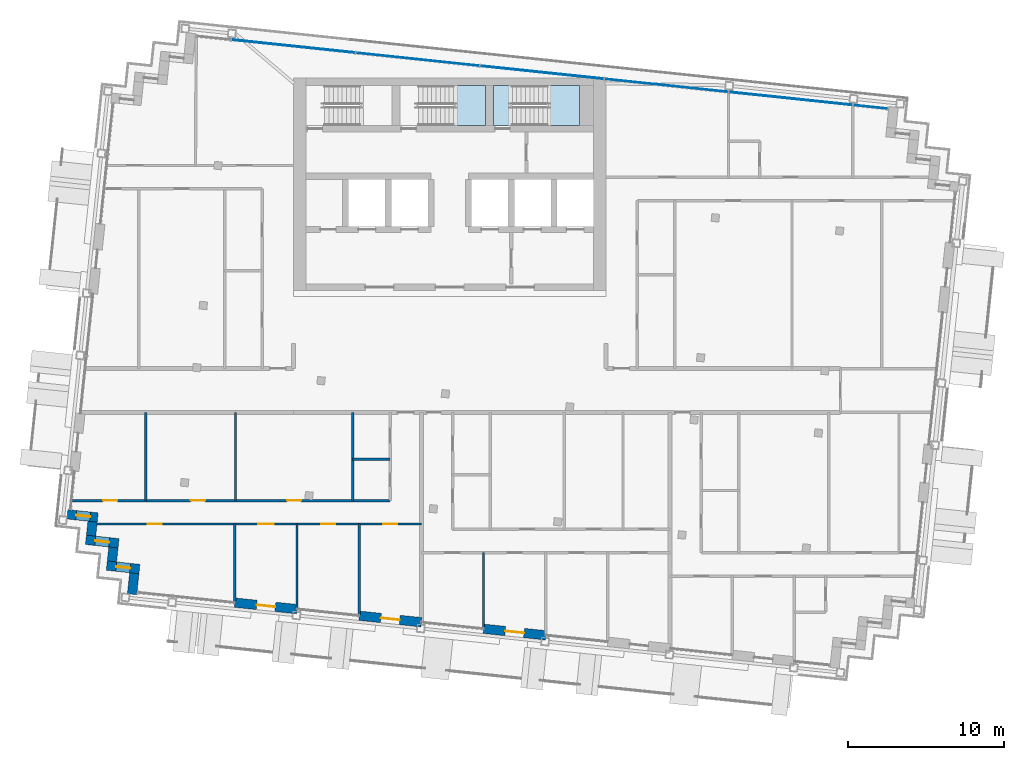
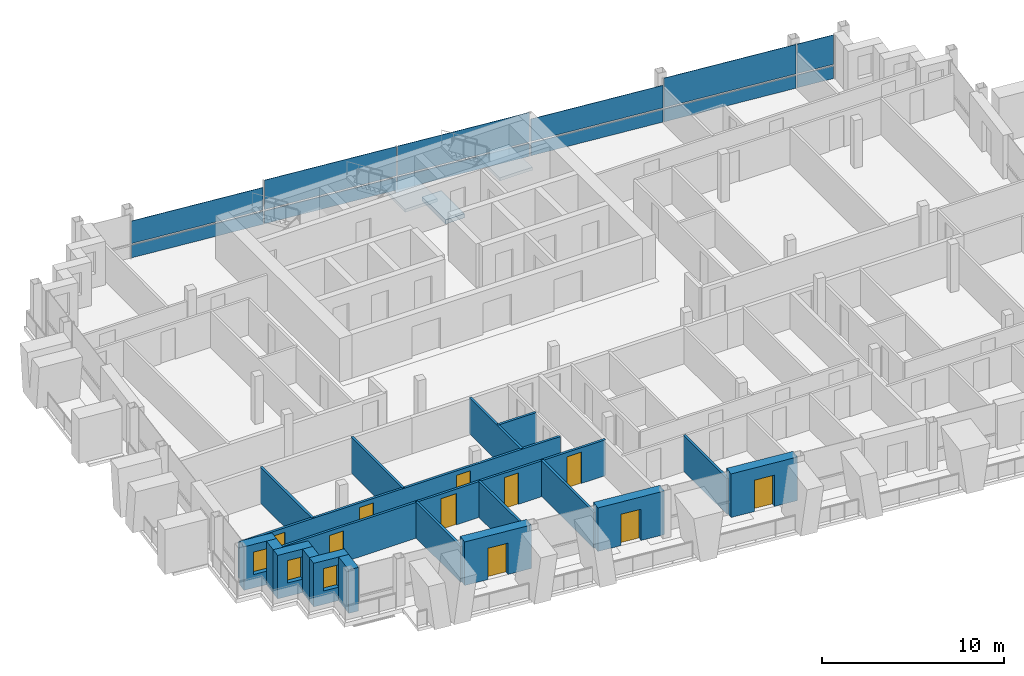
# One storey, part 8 of 17: 19 walls, 12 plates, 10 doors, 3 slabs, 3 windows, 13 openings, 3 elements without a shape of their own.
"""IFC4 building model written with IfcOpenShell, lengths in metres."""

from ifc_helpers import new_model, si_unit, direction, frame, frame_2d, origin, origin_2d, place, context, subcontext, project, spatial, polyline, rectangle, outline, extrude, material, layer, layer_set, type_object, element, fill, aggregate, save


model = new_model("IFC4")

# Units and contexts
model_context = context("Model", 3, precision=1e-05, world=origin(), true_north=direction((0.0, 1.0)))
body_context = subcontext(model_context, "Body", "Model", "MODEL_VIEW")
ifc_project = project(units=[si_unit("LENGTHUNIT", "METRE"), si_unit("AREAUNIT", "SQUARE_METRE"), si_unit("VOLUMEUNIT", "CUBIC_METRE"), si_unit("PLANEANGLEUNIT", "RADIAN"), si_unit("MASSUNIT", "GRAM", prefix="KILO")], contexts=[model_context])

# Site, building, storey
site_placement = place(None, origin())
site = spatial("IfcSite", under=ifc_project, at=site_placement, CompositionType="ELEMENT")
building_placement = place(site_placement, origin())
building = spatial("IfcBuilding", under=site, at=building_placement, Name="Vidyagriha Tower", CompositionType="ELEMENT")
storey_placement = place(building_placement, frame((0.0, 0.0, 269.10009765625)))
storey = spatial("IfcBuildingStorey", under=building, at=storey_placement, Name="L70", CompositionType="ELEMENT", Elevation=269.10009765625)

# Curtain wall, plates
ifc_material_1 = material(Name="Aluminium and glass curtain wall", Category="aluminium")
curtain_wall_type = type_object("IfcCurtainWallType", Name="Dwelling skin unitised curtain wall", PredefinedType="USERDEFINED", material=ifc_material_1)
curtain_wall_placement = place(storey_placement, origin())
curtain_wall = element("IfcCurtainWall", 1, at=curtain_wall_placement, inside=storey, type_object=curtain_wall_type, Name="CW1 dwelling skin", ObjectType="UNITISED", PredefinedType="USERDEFINED")
ifc_material_2 = material(Name="Glass dark ceramic-fritted spandrel", Category="glass")
ifc_layer_1 = layer(ifc_material_2, 0.0400390625)
ifc_layer_set_1 = layer_set([ifc_layer_1], Name="Glass dark ceramic-fritted spandrel")
plate_type_1 = type_object("IfcPlateType", Name="Ceramic-fritted spandrel panel", PredefinedType="CURTAIN_PANEL", material=ifc_layer_set_1)
plate_1_placement = place(storey_placement, frame((26.922607421875, 18.14599609375, -0.000244140625), z_axis=(0.0, 0.0, 1.0), x_axis=(-0.994521854435, 0.104528852722, 0.0)))
plate_1 = element("IfcPlate", 2, at=plate_1_placement, type_object=plate_type_1, Name="CW1 panel 1.1", PredefinedType="CURTAIN_PANEL", context=body_context, shape_type="SweptSolid", body=[
    extrude(rectangle(XDim=2.195068359375, YDim=0.0400390625, at=origin_2d()), origin(), (0.0, 0.0, 1.0), 0.85009765625),
])
plate_2_placement = place(storey_placement, frame((13.862060546875, 19.518798828125, -0.000244140625), z_axis=(0.0, 0.0, 1.0), x_axis=(-0.994521854435, 0.104528852722, 0.0)))
plate_2 = element("IfcPlate", 3, at=plate_2_placement, type_object=plate_type_1, Name="CW1 panel 3.1", PredefinedType="CURTAIN_PANEL", context=body_context, shape_type="SweptSolid", body=[
    extrude(rectangle(XDim=7.929931640625, YDim=0.0400390625, at=origin_2d()), origin(), (0.0, 0.0, 1.0), 0.85009765625),
])
plate_3_placement = place(storey_placement, frame((-2.05029296875, 21.191162109375, -0.000244140625), z_axis=(0.0, 0.0, 1.0), x_axis=(-0.994521854435, 0.104528852722, 0.0)))
plate_3 = element("IfcPlate", 4, at=plate_3_placement, type_object=plate_type_1, Name="CW1 panel 5.1", PredefinedType="CURTAIN_PANEL", context=body_context, shape_type="SweptSolid", body=[
    extrude(rectangle(XDim=7.929931640625, YDim=0.0400390625, at=origin_2d()), origin(), (0.0, 0.0, 1.0), 0.85009765625),
])
ifc_material_3 = material(Name="Glass dark ceramic-fritted", Category="glass")
ifc_layer_2 = layer(ifc_material_3, 0.028076171875)
ifc_layer_set_2 = layer_set([ifc_layer_2], Name="Glass dark ceramic-fritted")
plate_type_2 = type_object("IfcPlateType", Name="Dark ceramic-fritted vision glass panel", PredefinedType="CURTAIN_PANEL", material=ifc_layer_set_2)
plate_4_placement = place(storey_placement, frame((26.922607421875, 18.14599609375, 0.94970703125), z_axis=(0.0, 0.0, 1.0), x_axis=(-0.994521854435, 0.104528852722, 0.0)))
plate_4 = element("IfcPlate", 5, at=plate_4_placement, type_object=plate_type_2, Name="CW1 panel 1.2", PredefinedType="CURTAIN_PANEL", context=body_context, shape_type="SweptSolid", body=[
    extrude(rectangle(XDim=2.195068359375, YDim=0.028076171875, at=origin_2d()), origin(), (0.0, 0.0, 1.0), 1.969970703125),
])
plate_5_placement = place(storey_placement, frame((21.818359375, 18.6826171875, 0.94970703125), z_axis=(0.0, 0.0, 1.0), x_axis=(-0.994521854435, 0.104528852722, 0.0)))
plate_5 = element("IfcPlate", 6, at=plate_5_placement, type_object=plate_type_2, Name="CW1 panel 2.2", PredefinedType="CURTAIN_PANEL", context=body_context, shape_type="SweptSolid", body=[
    extrude(rectangle(XDim=7.929931640625, YDim=0.028076171875, at=origin_2d()), origin(), (0.0, 0.0, 1.0), 1.969970703125),
])
plate_6_placement = place(storey_placement, frame((13.862060546875, 19.518798828125, 0.949951171875), z_axis=(0.0, 0.0, 1.0), x_axis=(-0.994521854435, 0.104528852722, 0.0)))
plate_6 = element("IfcPlate", 7, at=plate_6_placement, type_object=plate_type_2, Name="CW1 panel 3.2", PredefinedType="CURTAIN_PANEL", context=body_context, shape_type="SweptSolid", body=[
    extrude(rectangle(XDim=7.929931640625, YDim=0.028076171875, at=origin_2d()), origin(), (0.0, 0.0, 1.0), 1.5078125),
])
plate_7_placement = place(storey_placement, frame((5.906005859375, 20.35498046875, 0.94970703125), z_axis=(0.0, 0.0, 1.0), x_axis=(-0.994521854435, 0.104528852722, 0.0)))
plate_7 = element("IfcPlate", 8, at=plate_7_placement, type_object=plate_type_2, Name="CW1 panel 4.2", PredefinedType="CURTAIN_PANEL", context=body_context, shape_type="SweptSolid", body=[
    extrude(rectangle(XDim=7.929931640625, YDim=0.028076171875, at=origin_2d()), origin(), (0.0, 0.0, 1.0), 1.969970703125),
])
plate_8_placement = place(storey_placement, frame((-2.05029296875, 21.191162109375, 0.94970703125), z_axis=(0.0, 0.0, 1.0), x_axis=(-0.994521854435, 0.104528852722, 0.0)))
plate_8 = element("IfcPlate", 9, at=plate_8_placement, type_object=plate_type_2, Name="CW1 panel 5.2", PredefinedType="CURTAIN_PANEL", context=body_context, shape_type="SweptSolid", body=[
    extrude(rectangle(XDim=7.929931640625, YDim=0.028076171875, at=origin_2d()), origin(), (0.0, 0.0, 1.0), 1.969970703125),
])
plate_9_placement = place(storey_placement, frame((-10.00634765625, 22.027587890625, 0.949951171875), z_axis=(0.0, 0.0, 1.0), x_axis=(-0.994521854435, 0.104528852722, 0.0)))
plate_9 = element("IfcPlate", 10, at=plate_9_placement, type_object=plate_type_2, Name="CW1 panel 6.2", PredefinedType="CURTAIN_PANEL", context=body_context, shape_type="SweptSolid", body=[
    extrude(rectangle(XDim=7.929931640625, YDim=0.028076171875, at=origin_2d()), origin(), (0.0, 0.0, 1.0), 1.5078125),
])

# Slab
ifc_material_4 = material(Name="Concrete C40/50", Category="concrete")
ifc_layer_3 = layer(ifc_material_4, 0.280029296875)
ifc_layer_set_3 = layer_set([ifc_layer_3], Name="Concrete C40/50")
slab_type_1 = type_object("IfcSlabType", Name="Exit stair floor landing 280 mm", PredefinedType="LANDING", material=ifc_layer_set_3)
slab_1_placement = place(storey_placement, frame((0.0, 0.0, -0.280029296875)))
element("IfcSlab", 11, at=slab_1_placement, inside=storey, type_object=slab_type_1, Name="ST3 floor landing L70", PredefinedType="LANDING", context=body_context, shape_type="SweptSolid", body=[
    extrude(outline(polyline([(2.800048828125, 16.949951171875), (4.0, 16.949951171875), (4.0, 19.5), (2.800048828125, 19.5), (2.800048828125, 16.949951171875)])), origin(), (0.0, 0.0, 1.0), 0.280029296875),
])

# Stair, slab
ifc_material_5 = material(Name="Concrete C40/50", Category="concrete")
stair_type = type_object("IfcStairType", Name="Exit stair, half-turn, precast flights", PredefinedType="HALF_TURN_STAIR", material=ifc_material_5)
stair_1_placement = place(storey_placement, origin())
stair_1 = element("IfcStair", 12, at=stair_1_placement, inside=storey, type_object=stair_type, Name="L70 Exit Stair ST2", PredefinedType="HALF_TURN_STAIR")
ifc_material_6 = material(Name="Concrete C40/50", Category="concrete")
ifc_layer_4 = layer(ifc_material_6, 0.199951171875)
ifc_layer_set_4 = layer_set([ifc_layer_4], Name="Concrete C40/50")
slab_type_2 = type_object("IfcSlabType", Name="Exit stair landing 200 mm", PredefinedType="LANDING", material=ifc_layer_set_4)
slab_2_placement = place(storey_placement, frame((0.0, 0.0, 1.39990234375)))
slab_2 = element("IfcSlab", 13, at=slab_2_placement, type_object=slab_type_2, Name="ST2 landing 1", PredefinedType="LANDING", context=body_context, shape_type="SweptSolid", body=[
    extrude(outline(polyline([(0.239990234375, 16.949951171875), (2.300048828125, 16.949951171875), (2.300048828125, 19.5), (0.239990234375, 19.5), (0.239990234375, 16.949951171875)])), origin(), (0.0, 0.0, 1.0), 0.199951171875),
])
aggregate(stair_1, [slab_2])

stair_2_placement = place(storey_placement, origin())
stair_2 = element("IfcStair", 14, at=stair_2_placement, inside=storey, type_object=stair_type, Name="L70 Exit Stair ST3", PredefinedType="HALF_TURN_STAIR")
slab_3_placement = place(storey_placement, frame((0.0, 0.0, 1.39990234375)))
slab_3 = element("IfcSlab", 15, at=slab_3_placement, type_object=slab_type_2, Name="ST3 landing 1", PredefinedType="LANDING", context=body_context, shape_type="SweptSolid", body=[
    extrude(outline(polyline([(6.239990234375, 16.949951171875), (8.300048828125, 16.949951171875), (8.300048828125, 19.5), (6.239990234375, 19.5), (6.239990234375, 16.949951171875)])), origin(), (0.0, 0.0, 1.0), 0.199951171875),
])
aggregate(stair_2, [slab_3])

# Plate
ifc_material_7 = material(Name="Aluminium black anodised", Category="aluminium")
ifc_layer_5 = layer(ifc_material_7, 0.06005859375)
ifc_layer_set_5 = layer_set([ifc_layer_5], Name="Aluminium black anodised")
plate_type_3 = type_object("IfcPlateType", Name="Operable black-metal vent panel", PredefinedType="CURTAIN_PANEL", material=ifc_layer_set_5)
plate_10_placement = place(storey_placement, frame((21.818359375, 18.6826171875, -0.000244140625), z_axis=(0.0, 0.0, 1.0), x_axis=(-0.994521854435, 0.104528852722, 0.0)))
plate_10 = element("IfcPlate", 16, at=plate_10_placement, type_object=plate_type_3, Name="CW1 panel 2.1", PredefinedType="CURTAIN_PANEL", context=body_context, shape_type="SweptSolid", body=[
    extrude(rectangle(XDim=7.929931640625, YDim=0.06005859375, at=origin_2d()), origin(), (0.0, 0.0, 1.0), 0.85009765625),
])

plate_11_placement = place(storey_placement, frame((5.906005859375, 20.35498046875, -0.000244140625), z_axis=(0.0, 0.0, 1.0), x_axis=(-0.994521854435, 0.104528852722, 0.0)))
plate_11 = element("IfcPlate", 17, at=plate_11_placement, type_object=plate_type_3, Name="CW1 panel 4.1", PredefinedType="CURTAIN_PANEL", context=body_context, shape_type="SweptSolid", body=[
    extrude(rectangle(XDim=7.929931640625, YDim=0.06005859375, at=origin_2d()), origin(), (0.0, 0.0, 1.0), 0.85009765625),
])

plate_12_placement = place(storey_placement, frame((-10.00634765625, 22.027587890625, -0.000244140625), z_axis=(0.0, 0.0, 1.0), x_axis=(-0.994521854435, 0.104528852722, 0.0)))
plate_12 = element("IfcPlate", 18, at=plate_12_placement, type_object=plate_type_3, Name="CW1 panel 6.1", PredefinedType="CURTAIN_PANEL", context=body_context, shape_type="SweptSolid", body=[
    extrude(rectangle(XDim=7.929931640625, YDim=0.06005859375, at=origin_2d()), origin(), (0.0, 0.0, 1.0), 0.85009765625),
])

aggregate(curtain_wall, [plate_1, plate_4, plate_10, plate_5, plate_2, plate_6, plate_11, plate_7, plate_3, plate_8, plate_12, plate_9])

# Wall, opening, window
ifc_material_8 = material(Name="Precast concrete C40/50 with brick facing", Category="concrete")
ifc_layer_6 = layer(ifc_material_8, 0.60009765625)
ifc_layer_set_6 = layer_set([ifc_layer_6], Name="Precast concrete C40/50 with brick facing")
wall_type_1 = type_object("IfcWallType", Name="Brick-faced precast wall 600", PredefinedType="STANDARD", material=ifc_layer_set_6)
wall_1_placement = place(storey_placement, frame((-24.466552734375, -7.92529296875, 0.0), z_axis=(0.0, 0.0, 1.0), x_axis=(0.994521219184, -0.104534896528, 0.0)))
wall_1 = element("IfcWall", 19, at=wall_1_placement, inside=storey, type_object=wall_type_1, Name="Stepped corner wall L70 R15", PredefinedType="STANDARD", context=body_context, shape_type="SweptSolid", body=[
    extrude(rectangle(XDim=1.9501953125, YDim=0.60009765625, at=frame_2d((0.97509765625, 0.0))), origin(), (0.0, 0.0, 1.0), 2.919921875),
])
opening_1_placement = place(wall_1_placement, frame((0.56005859375, 0.0, 0.89990234375)))
opening_1 = element("IfcOpeningElement", 20, at=opening_1_placement, cuts=wall_1, Name="Opening WN1", PredefinedType="OPENING", context=body_context, shape_type="SweptSolid", body=[
    extrude(rectangle(XDim=0.89990234375, YDim=1.5, at=frame_2d((0.449951171875, 0.75))), frame((0.0, 0.31005859375, 0.0), z_axis=(0.0, -1.0, 0.0), x_axis=(1.0, 0.0, 0.0)), (0.0, 0.0, 1.0), 0.6201171875),
])
ifc_material_9 = material(Name="Aluminium and glass window", Category="aluminium")
window_type = type_object("IfcWindowType", Name="Reveal window 900x1500", PartitioningType="NOTDEFINED", PredefinedType="WINDOW", material=ifc_material_9)
window_1_placement = place(opening_1_placement, origin())
window_1 = element("IfcWindow", 21, at=window_1_placement, inside=storey, type_object=window_type, Name="Reveal window L70 R15", OverallHeight=1.5, OverallWidth=0.89990234375, PartitioningType="SINGLE_PANEL", PredefinedType="WINDOW", context=body_context, shape_type="SweptSolid", body=[
    extrude(rectangle(XDim=0.89990234375, YDim=1.5, at=frame_2d((0.449951171875, 0.75))), frame((0.0, 0.030029296875, 0.0), z_axis=(0.0, -1.0, 0.0), x_axis=(1.0, 0.0, 0.0)), (0.0, 0.0, 1.0), 0.06005859375),
])
fill(opening_1, window_1)

# Wall
wall_2_placement = place(storey_placement, frame((-22.85693359375, -8.39599609375, 0.0), z_axis=(0.0, 0.0, 1.0), x_axis=(-0.104444712852, -0.994530694326, 0.0)))
element("IfcWall", 22, at=wall_2_placement, inside=storey, type_object=wall_type_1, Name="Stepped corner wall L70 R16", PredefinedType="STANDARD", context=body_context, shape_type="SweptSolid", body=[
    extrude(rectangle(XDim=0.89990234375, YDim=0.60009765625, at=frame_2d((0.449951171875, 0.0))), origin(), (0.0, 0.0, 1.0), 2.919921875),
])

# Wall, opening, window
wall_3_placement = place(storey_placement, frame((-23.28076171875, -9.55810546875, 0.0), z_axis=(0.0, 0.0, 1.0), x_axis=(0.994523910136, -0.104509292252, 0.0)))
wall_3 = element("IfcWall", 23, at=wall_3_placement, inside=storey, type_object=wall_type_1, Name="Stepped corner wall L70 R17", PredefinedType="STANDARD", context=body_context, shape_type="SweptSolid", body=[
    extrude(rectangle(XDim=2.10009765625, YDim=0.60009765625, at=frame_2d((1.050048828125, 0.0))), origin(), (0.0, 0.0, 1.0), 2.919921875),
])
opening_2_placement = place(wall_3_placement, frame((0.60009765625, 0.0, 0.89990234375)))
opening_2 = element("IfcOpeningElement", 24, at=opening_2_placement, cuts=wall_3, Name="Opening WN1", PredefinedType="OPENING", context=body_context, shape_type="SweptSolid", body=[
    extrude(rectangle(XDim=0.89990234375, YDim=1.5, at=frame_2d((0.449951171875, 0.75))), frame((0.0, 0.31005859375, 0.0), z_axis=(0.0, -1.0, 0.0), x_axis=(1.0, 0.0, 0.0)), (0.0, 0.0, 1.0), 0.6201171875),
])
window_2_placement = place(opening_2_placement, origin())
window_2 = element("IfcWindow", 25, at=window_2_placement, inside=storey, type_object=window_type, Name="Reveal window L70 R17", OverallHeight=1.5, OverallWidth=0.89990234375, PartitioningType="SINGLE_PANEL", PredefinedType="WINDOW", context=body_context, shape_type="SweptSolid", body=[
    extrude(rectangle(XDim=0.89990234375, YDim=1.5, at=frame_2d((0.449951171875, 0.75))), frame((0.0, 0.030029296875, 0.0), z_axis=(0.0, -1.0, 0.0), x_axis=(1.0, 0.0, 0.0)), (0.0, 0.0, 1.0), 0.06005859375),
])
fill(opening_2, window_2)

# Wall
wall_4_placement = place(storey_placement, frame((-21.52197265625, -10.04443359375, 0.0), z_axis=(0.0, 0.0, 1.0), x_axis=(-0.104416541099, -0.994533652495, 0.0)))
element("IfcWall", 26, at=wall_4_placement, inside=storey, type_object=wall_type_1, Name="Stepped corner wall L70 R18", PredefinedType="STANDARD", context=body_context, shape_type="SweptSolid", body=[
    extrude(rectangle(XDim=0.900146484375, YDim=0.60009765625, at=frame_2d((0.4501953125, 0.0))), origin(), (0.0, 0.0, 1.0), 2.919921875),
])

# Wall, opening, window
wall_5_placement = place(storey_placement, frame((-21.94580078125, -11.20654296875, 0.0), z_axis=(0.0, 0.0, 1.0), x_axis=(0.994511820899, -0.104624271047, 0.0)))
wall_5 = element("IfcWall", 27, at=wall_5_placement, inside=storey, type_object=wall_type_1, Name="Stepped corner wall L70 R19", PredefinedType="STANDARD", context=body_context, shape_type="SweptSolid", body=[
    extrude(rectangle(XDim=2.10009765625, YDim=0.60009765625, at=frame_2d((1.050048828125, 0.0))), origin(), (0.0, 0.0, 1.0), 2.919921875),
])
opening_3_placement = place(wall_5_placement, frame((0.60009765625, 0.0, 0.89990234375)))
opening_3 = element("IfcOpeningElement", 28, at=opening_3_placement, cuts=wall_5, Name="Opening WN1", PredefinedType="OPENING", context=body_context, shape_type="SweptSolid", body=[
    extrude(rectangle(XDim=0.89990234375, YDim=1.5, at=frame_2d((0.449951171875, 0.75))), frame((0.0, 0.31005859375, 0.0), z_axis=(0.0, -1.0, 0.0), x_axis=(1.0, 0.0, 0.0)), (0.0, 0.0, 1.0), 0.6201171875),
])
window_3_placement = place(opening_3_placement, origin())
window_3 = element("IfcWindow", 29, at=window_3_placement, inside=storey, type_object=window_type, Name="Reveal window L70 R19", OverallHeight=1.5, OverallWidth=0.89990234375, PartitioningType="SINGLE_PANEL", PredefinedType="WINDOW", context=body_context, shape_type="SweptSolid", body=[
    extrude(rectangle(XDim=0.89990234375, YDim=1.5, at=frame_2d((0.449951171875, 0.75))), frame((0.0, 0.030029296875, 0.0), z_axis=(0.0, -1.0, 0.0), x_axis=(1.0, 0.0, 0.0)), (0.0, 0.0, 1.0), 0.06005859375),
])
fill(opening_3, window_3)

# Wall
wall_6_placement = place(storey_placement, frame((-20.18701171875, -11.693115234375, 0.0), z_axis=(0.0, 0.0, 1.0), x_axis=(-0.1043365026, -0.994542052517, 0.0)))
element("IfcWall", 30, at=wall_6_placement, inside=storey, type_object=wall_type_1, Name="Stepped corner wall L70 R20", PredefinedType="STANDARD", context=body_context, shape_type="SweptSolid", body=[
    extrude(rectangle(XDim=1.35009765625, YDim=0.60009765625, at=frame_2d((0.675048828125, 0.0))), origin(), (0.0, 0.0, 1.0), 2.919921875),
])

# Wall, opening, door
wall_7_placement = place(storey_placement, frame((-13.74853515625, -13.576416015625, 0.0), z_axis=(0.0, 0.0, 1.0), x_axis=(0.994519156568, -0.104554517933, 0.0)))
wall_7 = element("IfcWall", 31, at=wall_7_placement, inside=storey, type_object=wall_type_1, Name="Brick door bay wall L70 R21.3", PredefinedType="STANDARD", context=body_context, shape_type="SweptSolid", body=[
    extrude(rectangle(XDim=4.0, YDim=0.60009765625, at=frame_2d((2.0, 0.0))), origin(), (0.0, 0.0, 1.0), 2.919921875),
])
opening_4_placement = place(wall_7_placement, frame((1.39990234375, 0.0, 0.0)))
opening_4 = element("IfcOpeningElement", 32, at=opening_4_placement, cuts=wall_7, Name="Opening D70-60", PredefinedType="OPENING", context=body_context, shape_type="SweptSolid", body=[
    extrude(rectangle(XDim=1.199951171875, YDim=2.10009765625, at=frame_2d((0.60009765625, 1.050048828125))), frame((0.0, 0.31005859375, 0.0), z_axis=(0.0, -1.0, 0.0), x_axis=(1.0, 0.0, 0.0)), (0.0, 0.0, 1.0), 0.6201171875),
])
ifc_material_10 = material(Name="Aluminium framed glazed sliding door", Category="aluminium")
door_type_1 = type_object("IfcDoorType", Name="Balcony sliding door 1200x2100", OperationType="NOTDEFINED", PredefinedType="DOOR", material=ifc_material_10)
door_1_placement = place(opening_4_placement, origin())
door_1 = element("IfcDoor", 33, at=door_1_placement, inside=storey, type_object=door_type_1, Name="Door D70-60", OperationType="SLIDING_TO_LEFT", OverallHeight=2.10009765625, OverallWidth=1.199951171875, PredefinedType="DOOR", context=body_context, shape_type="SweptSolid", body=[
    extrude(rectangle(XDim=1.199951171875, YDim=2.10009765625, at=frame_2d((0.60009765625, 1.050048828125))), frame((0.0, 0.02490234375, 0.0), z_axis=(0.0, -1.0, 0.0), x_axis=(1.0, 0.0, 0.0)), (0.0, 0.0, 1.0), 0.050048828125),
])
fill(opening_4, door_1)

wall_8_placement = place(storey_placement, frame((-5.792236328125, -14.412841796875, 0.0), z_axis=(0.0, 0.0, 1.0), x_axis=(0.99452550138, -0.104494148666, 0.0)))
wall_8 = element("IfcWall", 34, at=wall_8_placement, inside=storey, type_object=wall_type_1, Name="Brick door bay wall L70 R21.5", PredefinedType="STANDARD", context=body_context, shape_type="SweptSolid", body=[
    extrude(rectangle(XDim=4.0, YDim=0.60009765625, at=frame_2d((2.0, 0.0))), origin(), (0.0, 0.0, 1.0), 2.919921875),
])
opening_5_placement = place(wall_8_placement, frame((1.39990234375, 0.0, 0.0)))
opening_5 = element("IfcOpeningElement", 35, at=opening_5_placement, cuts=wall_8, Name="Opening D70-61", PredefinedType="OPENING", context=body_context, shape_type="SweptSolid", body=[
    extrude(rectangle(XDim=1.199951171875, YDim=2.10009765625, at=frame_2d((0.60009765625, 1.050048828125))), frame((0.0, 0.31005859375, 0.0), z_axis=(0.0, -1.0, 0.0), x_axis=(1.0, 0.0, 0.0)), (0.0, 0.0, 1.0), 0.6201171875),
])
door_2_placement = place(opening_5_placement, origin())
door_2 = element("IfcDoor", 36, at=door_2_placement, inside=storey, type_object=door_type_1, Name="Door D70-61", OperationType="SLIDING_TO_LEFT", OverallHeight=2.10009765625, OverallWidth=1.199951171875, PredefinedType="DOOR", context=body_context, shape_type="SweptSolid", body=[
    extrude(rectangle(XDim=1.199951171875, YDim=2.10009765625, at=frame_2d((0.60009765625, 1.050048828125))), frame((0.0, 0.02490234375, 0.0), z_axis=(0.0, -1.0, 0.0), x_axis=(1.0, 0.0, 0.0)), (0.0, 0.0, 1.0), 0.050048828125),
])
fill(opening_5, door_2)

wall_9_placement = place(storey_placement, frame((2.163818359375, -15.2490234375, 0.0), z_axis=(0.0, 0.0, 1.0), x_axis=(0.99452550138, -0.104494148666, 0.0)))
wall_9 = element("IfcWall", 37, at=wall_9_placement, inside=storey, type_object=wall_type_1, Name="Brick door bay wall L70 R21.7", PredefinedType="STANDARD", context=body_context, shape_type="SweptSolid", body=[
    extrude(rectangle(XDim=4.0, YDim=0.60009765625, at=frame_2d((2.0, 0.0))), origin(), (0.0, 0.0, 1.0), 2.919921875),
])
opening_6_placement = place(wall_9_placement, frame((1.39990234375, 0.0, 0.0)))
opening_6 = element("IfcOpeningElement", 38, at=opening_6_placement, cuts=wall_9, Name="Opening D70-62", PredefinedType="OPENING", context=body_context, shape_type="SweptSolid", body=[
    extrude(rectangle(XDim=1.199951171875, YDim=2.10009765625, at=frame_2d((0.60009765625, 1.050048828125))), frame((0.0, 0.31005859375, 0.0), z_axis=(0.0, -1.0, 0.0), x_axis=(1.0, 0.0, 0.0)), (0.0, 0.0, 1.0), 0.6201171875),
])
door_3_placement = place(opening_6_placement, origin())
door_3 = element("IfcDoor", 39, at=door_3_placement, inside=storey, type_object=door_type_1, Name="Door D70-62", OperationType="SLIDING_TO_LEFT", OverallHeight=2.10009765625, OverallWidth=1.199951171875, PredefinedType="DOOR", context=body_context, shape_type="SweptSolid", body=[
    extrude(rectangle(XDim=1.199951171875, YDim=2.10009765625, at=frame_2d((0.60009765625, 1.050048828125))), frame((0.0, 0.02490234375, 0.0), z_axis=(0.0, -1.0, 0.0), x_axis=(1.0, 0.0, 0.0)), (0.0, 0.0, 1.0), 0.050048828125),
])
fill(opening_6, door_3)

# Walls
ifc_material_11 = material(Name="Gypsum board partition")
ifc_layer_7 = layer(ifc_material_11, 0.14990234375)
ifc_layer_set_7 = layer_set([ifc_layer_7], Name="Gypsum board partition")
wall_type_2 = type_object("IfcWallType", Name="Gypsum board partition 150", PredefinedType="PARTITIONING", material=ifc_layer_set_7)
wall_10_placement = place(storey_placement, frame((-3.81396484375, -4.39990234375, 0.0), z_axis=(0.0, 0.0, 1.0), x_axis=(-1.0, 0.0, 0.0)))
element("IfcWall", 40, at=wall_10_placement, inside=storey, type_object=wall_type_2, Name="Wall all-L70-w004", PredefinedType="PARTITIONING", context=body_context, shape_type="SweptSolid", body=[
    extrude(rectangle(XDim=2.400146484375, YDim=0.14990234375, at=frame_2d((1.2001953125, 0.0))), origin(), (0.0, 0.0, 1.0), 2.39990234375),
])
for number, where, z_axis, x_axis, name in (
    (41, (-6.214111328125, -7.046630859375, 0.0), (0.0, 0.0, 1.0), (0.0, 1.0, 0.0), "Wall all-L70-w005"),
    (42, (-13.714111328125, -7.046630859375, 0.0), (0.0, 0.0, 1.0), (0.0, 1.0, 0.0), "Wall all-L70-w006"),
    (43, (-19.464111328125, -7.046630859375, 0.0), (0.0, 0.0, 1.0), (0.0, 1.0, 0.0), "Wall all-L70-w007"),
):
    element("IfcWall", number, at=place(storey_placement, frame(where, z_axis=z_axis, x_axis=x_axis)), inside=storey, type_object=wall_type_2, Name=name, PredefinedType="PARTITIONING", context=body_context, shape_type="SweptSolid", body=[
        extrude(rectangle(XDim=5.646728515625, YDim=0.14990234375, at=frame_2d((2.8232421875, 0.0))), origin(), (0.0, 0.0, 1.0), 2.39990234375),
    ])

# Wall, openings, doors
wall_11_placement = place(storey_placement, frame((-24.143798828125, -7.046630859375, 0.0)))
wall_11 = element("IfcWall", 44, at=wall_11_placement, inside=storey, type_object=wall_type_2, Name="Wall all-L70-w008", PredefinedType="PARTITIONING", context=body_context, shape_type="SweptSolid", body=[
    extrude(rectangle(XDim=20.329833984375, YDim=0.14990234375, at=frame_2d((10.1650390625, 0.0))), origin(), (0.0, 0.0, 1.0), 2.39990234375),
])
opening_7_placement = place(wall_11_placement, frame((13.72998046875, 0.0, 0.0)))
opening_7 = element("IfcOpeningElement", 45, at=opening_7_placement, cuts=wall_11, Name="Opening D70-12", PredefinedType="OPENING", context=body_context, shape_type="SweptSolid", body=[
    extrude(rectangle(XDim=0.89990234375, YDim=2.10009765625, at=frame_2d((0.449951171875, 1.050048828125))), frame((0.0, 0.0849609375, 0.0), z_axis=(0.0, -1.0, 0.0), x_axis=(1.0, 0.0, 0.0)), (0.0, 0.0, 1.0), 0.169921875),
])
opening_8_placement = place(wall_11_placement, frame((7.585205078125, 0.0, 0.0)))
opening_8 = element("IfcOpeningElement", 46, at=opening_8_placement, cuts=wall_11, Name="Opening D70-13", PredefinedType="OPENING", context=body_context, shape_type="SweptSolid", body=[
    extrude(rectangle(XDim=0.89990234375, YDim=2.10009765625, at=frame_2d((0.449951171875, 1.050048828125))), frame((0.0, 0.0849609375, 0.0), z_axis=(0.0, -1.0, 0.0), x_axis=(1.0, 0.0, 0.0)), (0.0, 0.0, 1.0), 0.169921875),
])
opening_9_placement = place(wall_11_placement, frame((1.968017578125, 0.0, 0.0)))
opening_9 = element("IfcOpeningElement", 47, at=opening_9_placement, cuts=wall_11, Name="Opening D70-14", PredefinedType="OPENING", context=body_context, shape_type="SweptSolid", body=[
    extrude(rectangle(XDim=0.89990234375, YDim=2.10009765625, at=frame_2d((0.449951171875, 1.050048828125))), frame((0.0, 0.0849609375, 0.0), z_axis=(0.0, -1.0, 0.0), x_axis=(1.0, 0.0, 0.0)), (0.0, 0.0, 1.0), 0.169921875),
])
ifc_material_12 = material(Name="Timber door leaf", Category="wood")
door_type_2 = type_object("IfcDoorType", Name="Room door 900x2100", OperationType="NOTDEFINED", PredefinedType="DOOR", material=ifc_material_12)
door_4_placement = place(opening_7_placement, origin())
door_4 = element("IfcDoor", 48, at=door_4_placement, inside=storey, type_object=door_type_2, Name="Door D70-12", OperationType="SINGLE_SWING_LEFT", OverallHeight=2.10009765625, OverallWidth=0.89990234375, PredefinedType="DOOR", context=body_context, shape_type="SweptSolid", body=[
    extrude(rectangle(XDim=0.89990234375, YDim=2.10009765625, at=frame_2d((0.449951171875, 1.050048828125))), frame((0.0, 0.02490234375, 0.0), z_axis=(0.0, -1.0, 0.0), x_axis=(1.0, 0.0, 0.0)), (0.0, 0.0, 1.0), 0.050048828125),
])
fill(opening_7, door_4)
door_5_placement = place(opening_8_placement, origin())
door_5 = element("IfcDoor", 49, at=door_5_placement, inside=storey, type_object=door_type_2, Name="Door D70-13", OperationType="SINGLE_SWING_RIGHT", OverallHeight=2.10009765625, OverallWidth=0.89990234375, PredefinedType="DOOR", context=body_context, shape_type="SweptSolid", body=[
    extrude(rectangle(XDim=0.89990234375, YDim=2.10009765625, at=frame_2d((0.449951171875, 1.050048828125))), frame((0.0, 0.02490234375, 0.0), z_axis=(0.0, -1.0, 0.0), x_axis=(1.0, 0.0, 0.0)), (0.0, 0.0, 1.0), 0.050048828125),
])
fill(opening_8, door_5)
door_6_placement = place(opening_9_placement, origin())
door_6 = element("IfcDoor", 50, at=door_6_placement, inside=storey, type_object=door_type_2, Name="Door D70-14", OperationType="SINGLE_SWING_LEFT", OverallHeight=2.10009765625, OverallWidth=0.89990234375, PredefinedType="DOOR", context=body_context, shape_type="SweptSolid", body=[
    extrude(rectangle(XDim=0.89990234375, YDim=2.10009765625, at=frame_2d((0.449951171875, 1.050048828125))), frame((0.0, 0.02490234375, 0.0), z_axis=(0.0, -1.0, 0.0), x_axis=(1.0, 0.0, 0.0)), (0.0, 0.0, 1.0), 0.050048828125),
])
fill(opening_9, door_6)

wall_12_placement = place(storey_placement, frame((-1.81396484375, -8.546630859375, 0.0), z_axis=(0.0, 0.0, 1.0), x_axis=(-1.0, 0.0, 0.0)))
wall_12 = element("IfcWall", 51, at=wall_12_placement, inside=storey, type_object=wall_type_2, Name="Wall all-L70-w012", PredefinedType="PARTITIONING", context=body_context, shape_type="SweptSolid", body=[
    extrude(rectangle(XDim=20.767333984375, YDim=0.14990234375, at=frame_2d((10.3837890625, 0.0))), origin(), (0.0, 0.0, 1.0), 2.39990234375),
])
opening_10_placement = place(wall_12_placement, frame((16.604248046875, 0.0, 0.0)))
opening_10 = element("IfcOpeningElement", 52, at=opening_10_placement, cuts=wall_12, Name="Opening D70-15", PredefinedType="OPENING", context=body_context, shape_type="SweptSolid", body=[
    extrude(rectangle(XDim=0.89990234375, YDim=2.10009765625, at=frame_2d((0.449951171875, 1.050048828125))), frame((0.0, 0.0849609375, 0.0), z_axis=(0.0, -1.0, 0.0), x_axis=(1.0, 0.0, 0.0)), (0.0, 0.0, 1.0), 0.169921875),
])
opening_11_placement = place(wall_12_placement, frame((9.445556640625, 0.0, 0.0)))
opening_11 = element("IfcOpeningElement", 53, at=opening_11_placement, cuts=wall_12, Name="Opening D70-16", PredefinedType="OPENING", context=body_context, shape_type="SweptSolid", body=[
    extrude(rectangle(XDim=1.0, YDim=2.10009765625, at=frame_2d((0.5, 1.050048828125))), frame((0.0, 0.0849609375, 0.0), z_axis=(0.0, -1.0, 0.0), x_axis=(1.0, 0.0, 0.0)), (0.0, 0.0, 1.0), 0.169921875),
])
opening_12_placement = place(wall_12_placement, frame((5.517333984375, 0.0, 0.0)))
opening_12 = element("IfcOpeningElement", 54, at=opening_12_placement, cuts=wall_12, Name="Opening D70-17", PredefinedType="OPENING", context=body_context, shape_type="SweptSolid", body=[
    extrude(rectangle(XDim=0.89990234375, YDim=2.10009765625, at=frame_2d((0.449951171875, 1.050048828125))), frame((0.0, 0.0849609375, 0.0), z_axis=(0.0, -1.0, 0.0), x_axis=(1.0, 0.0, 0.0)), (0.0, 0.0, 1.0), 0.169921875),
])
opening_13_placement = place(wall_12_placement, frame((1.539306640625, 0.0, 0.0)))
opening_13 = element("IfcOpeningElement", 55, at=opening_13_placement, cuts=wall_12, Name="Opening D70-18", PredefinedType="OPENING", context=body_context, shape_type="SweptSolid", body=[
    extrude(rectangle(XDim=0.89990234375, YDim=2.10009765625, at=frame_2d((0.449951171875, 1.050048828125))), frame((0.0, 0.0849609375, 0.0), z_axis=(0.0, -1.0, 0.0), x_axis=(1.0, 0.0, 0.0)), (0.0, 0.0, 1.0), 0.169921875),
])
ifc_material_13 = material(Name="Timber door leaf", Category="wood")
door_type_3 = type_object("IfcDoorType", Name="Room door 1000x2100", OperationType="NOTDEFINED", PredefinedType="DOOR", material=ifc_material_13)
door_7_placement = place(opening_11_placement, origin())
door_7 = element("IfcDoor", 56, at=door_7_placement, inside=storey, type_object=door_type_3, Name="Door D70-16", OperationType="SINGLE_SWING_RIGHT", OverallHeight=2.10009765625, OverallWidth=1.0, PredefinedType="DOOR", context=body_context, shape_type="SweptSolid", body=[
    extrude(rectangle(XDim=1.0, YDim=2.10009765625, at=frame_2d((0.5, 1.050048828125))), frame((0.0, 0.02490234375, 0.0), z_axis=(0.0, -1.0, 0.0), x_axis=(1.0, 0.0, 0.0)), (0.0, 0.0, 1.0), 0.050048828125),
])
fill(opening_11, door_7)
door_8_placement = place(opening_10_placement, origin())
door_8 = element("IfcDoor", 57, at=door_8_placement, inside=storey, type_object=door_type_2, Name="Door D70-15", OperationType="SINGLE_SWING_RIGHT", OverallHeight=2.10009765625, OverallWidth=0.89990234375, PredefinedType="DOOR", context=body_context, shape_type="SweptSolid", body=[
    extrude(rectangle(XDim=0.89990234375, YDim=2.10009765625, at=frame_2d((0.449951171875, 1.050048828125))), frame((0.0, 0.02490234375, 0.0), z_axis=(0.0, -1.0, 0.0), x_axis=(1.0, 0.0, 0.0)), (0.0, 0.0, 1.0), 0.050048828125),
])
fill(opening_10, door_8)
door_9_placement = place(opening_12_placement, origin())
door_9 = element("IfcDoor", 58, at=door_9_placement, inside=storey, type_object=door_type_2, Name="Door D70-17", OperationType="SINGLE_SWING_RIGHT", OverallHeight=2.10009765625, OverallWidth=0.89990234375, PredefinedType="DOOR", context=body_context, shape_type="SweptSolid", body=[
    extrude(rectangle(XDim=0.89990234375, YDim=2.10009765625, at=frame_2d((0.449951171875, 1.050048828125))), frame((0.0, 0.02490234375, 0.0), z_axis=(0.0, -1.0, 0.0), x_axis=(1.0, 0.0, 0.0)), (0.0, 0.0, 1.0), 0.050048828125),
])
fill(opening_12, door_9)
door_10_placement = place(opening_13_placement, origin())
door_10 = element("IfcDoor", 59, at=door_10_placement, inside=storey, type_object=door_type_2, Name="Door D70-18", OperationType="SINGLE_SWING_RIGHT", OverallHeight=2.10009765625, OverallWidth=0.89990234375, PredefinedType="DOOR", context=body_context, shape_type="SweptSolid", body=[
    extrude(rectangle(XDim=0.89990234375, YDim=2.10009765625, at=frame_2d((0.449951171875, 1.050048828125))), frame((0.0, 0.02490234375, 0.0), z_axis=(0.0, -1.0, 0.0), x_axis=(1.0, 0.0, 0.0)), (0.0, 0.0, 1.0), 0.050048828125),
])
fill(opening_13, door_10)

# Walls
wall_13_placement = place(storey_placement, frame((-13.74853515625, -8.546630859375, 0.0), z_axis=(0.0, 0.0, 1.0), x_axis=(0.0, -1.0, 0.0)))
element("IfcWall", 60, at=wall_13_placement, inside=storey, type_object=wall_type_2, Name="Wall all-L70-w017", PredefinedType="PARTITIONING", context=body_context, shape_type="SweptSolid", body=[
    extrude(rectangle(XDim=4.950439453125, YDim=0.14990234375, at=frame_2d((2.47509765625, 0.0))), origin(), (0.0, 0.0, 1.0), 2.39990234375),
])
wall_14_placement = place(storey_placement, frame((-9.7705078125, -8.546630859375, 0.0), z_axis=(0.0, 0.0, 1.0), x_axis=(0.0, -1.0, 0.0)))
element("IfcWall", 61, at=wall_14_placement, inside=storey, type_object=wall_type_2, Name="Wall all-L70-w018", PredefinedType="PARTITIONING", context=body_context, shape_type="SweptSolid", body=[
    extrude(rectangle(XDim=5.357666015625, YDim=0.14990234375, at=frame_2d((2.6787109375, 0.0))), origin(), (0.0, 0.0, 1.0), 2.39990234375),
])
wall_15_placement = place(storey_placement, frame((-5.792236328125, -8.546630859375, 0.0), z_axis=(0.0, 0.0, 1.0), x_axis=(0.0, -1.0, 0.0)))
element("IfcWall", 62, at=wall_15_placement, inside=storey, type_object=wall_type_2, Name="Wall all-L70-w019", PredefinedType="PARTITIONING", context=body_context, shape_type="SweptSolid", body=[
    extrude(rectangle(XDim=5.78662109375, YDim=0.14990234375, at=frame_2d((2.893310546875, 0.0))), origin(), (0.0, 0.0, 1.0), 2.39990234375),
])
wall_16_placement = place(storey_placement, frame((2.163818359375, -10.383544921875, 0.0), z_axis=(0.0, 0.0, 1.0), x_axis=(0.0, -1.0, 0.0)))
element("IfcWall", 63, at=wall_16_placement, inside=storey, type_object=wall_type_2, Name="Wall all-L70-w037", PredefinedType="PARTITIONING", context=body_context, shape_type="SweptSolid", body=[
    extrude(rectangle(XDim=4.785888671875, YDim=0.14990234375, at=frame_2d((2.39306640625, 0.0))), origin(), (0.0, 0.0, 1.0), 2.39990234375),
])

save(model, "model.ifc")
